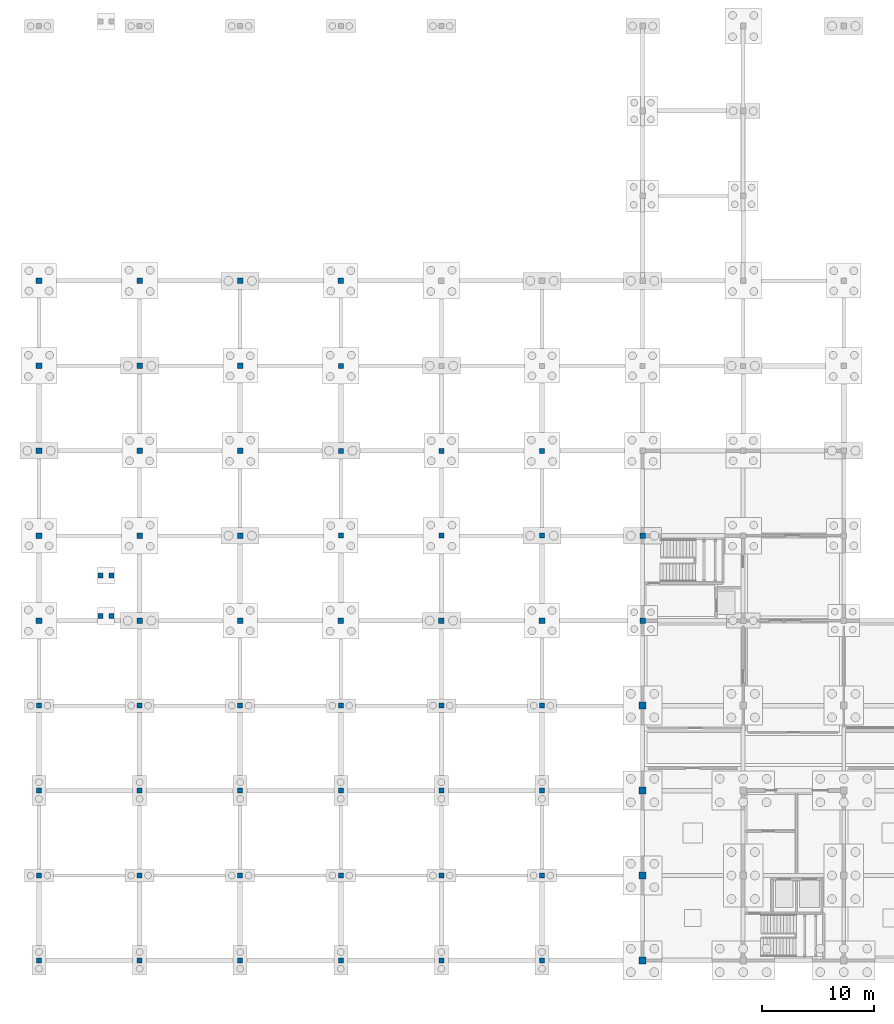
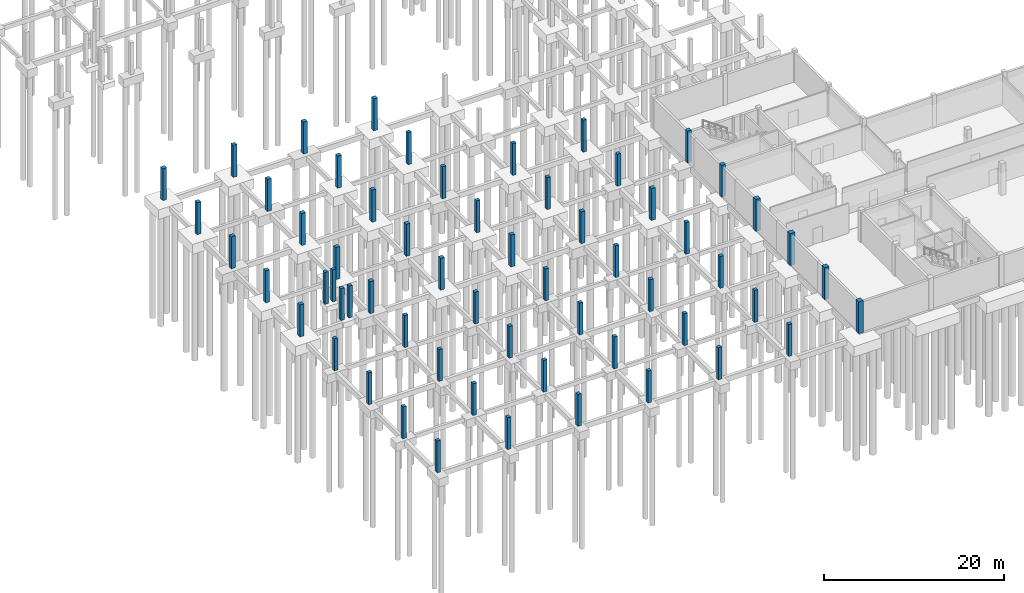
# One storey, part 13 of 28: 60 columns.
"""IFC4 building model written with IfcOpenShell, lengths in metres."""

from ifc_helpers import new_model, si_unit, direction, frame, origin, origin_2d, place, context, subcontext, project, spatial, rectangle, extrude, material, material_profile, profile_set, type_object, element, save


model = new_model("IFC4")

# Units and contexts
model_context = context("Model", 3, precision=1e-05, world=origin(), true_north=direction((0.0, 1.0)))
body_context = subcontext(model_context, "Body", "Model", "MODEL_VIEW")
ifc_project = project(units=[si_unit("LENGTHUNIT", "METRE"), si_unit("AREAUNIT", "SQUARE_METRE"), si_unit("VOLUMEUNIT", "CUBIC_METRE"), si_unit("PLANEANGLEUNIT", "RADIAN"), si_unit("MASSUNIT", "GRAM", prefix="KILO")], contexts=[model_context])

# Site, building, storey
site_placement = place(None, origin())
site = spatial("IfcSite", under=ifc_project, at=site_placement, CompositionType="ELEMENT")
building_placement = place(site_placement, origin())
building = spatial("IfcBuilding", under=site, at=building_placement, Name="Caisbarro Railhouse Central Library", CompositionType="ELEMENT")
storey_placement = place(building_placement, frame((0.0, 0.0, -4.320068359375)))
storey = spatial("IfcBuildingStorey", under=building, at=storey_placement, Name="B01", CompositionType="ELEMENT", Elevation=-4.320068359375)

# Columns
ifc_material = material(Name="Concrete C40", Category="concrete")
ifc_material_profile_1 = material_profile(ifc_material, rectangle(XDim=0.449951171875, YDim=0.449951171875, at=origin_2d()), Name="RC-COL-450X450")
ifc_profile_set_1 = profile_set([ifc_material_profile_1], Name="Concrete C40")
column_type_1 = type_object("IfcColumnType", Name="COL-RC45", PredefinedType="COLUMN", material=ifc_profile_set_1)
for number, where, z_axis, x_axis, name in (
    (1, (0.0, 0.0, 0.0), (0.0, 0.0, 1.0), (1.0, 0.0, 0.0), "RC45 column B01 (0.0,0.0)"),
    (2, (0.0, 7.60009765625, 0.0), (0.0, 0.0, 1.0), (1.0, 0.0, 0.0), "RC45 column B01 (0.0,7.6)"),
    (3, (0.0, 15.199951171875, 0.0), (0.0, 0.0, 1.0), (1.0, 0.0, 0.0), "RC45 column B01 (0.0,15.2)"),
    (4, (0.0, 22.800048828125, 0.0), (0.0, 0.0, 1.0), (1.0, 0.0, 0.0), "RC45 column B01 (0.0,22.8)"),
    (5, (9.0, 0.0, 0.0), (0.0, 0.0, 1.0), (1.0, 0.0, 0.0), "RC45 column B01 (9.0,0.0)"),
    (6, (9.0, 7.60009765625, 0.0), (0.0, 0.0, 1.0), (1.0, 0.0, 0.0), "RC45 column B01 (9.0,7.6)"),
    (7, (9.0, 15.199951171875, 0.0), (0.0, 0.0, 1.0), (1.0, 0.0, 0.0), "RC45 column B01 (9.0,15.2)"),
    (8, (9.0, 22.800048828125, 0.0), (0.0, 0.0, 1.0), (1.0, 0.0, 0.0), "RC45 column B01 (9.0,22.8)"),
    (9, (18.0, 0.0, 0.0), (0.0, 0.0, 1.0), (1.0, 0.0, 0.0), "RC45 column B01 (18.0,0.0)"),
    (10, (18.0, 7.60009765625, 0.0), (0.0, 0.0, 1.0), (1.0, 0.0, 0.0), "RC45 column B01 (18.0,7.6)"),
    (11, (18.0, 15.199951171875, 0.0), (0.0, 0.0, 1.0), (1.0, 0.0, 0.0), "RC45 column B01 (18.0,15.2)"),
    (12, (18.0, 22.800048828125, 0.0), (0.0, 0.0, 1.0), (1.0, 0.0, 0.0), "RC45 column B01 (18.0,22.8)"),
    (13, (27.0, 0.0, 0.0), (0.0, 0.0, 1.0), (1.0, 0.0, 0.0), "RC45 column B01 (27.0,0.0)"),
    (14, (27.0, 7.60009765625, 0.0), (0.0, 0.0, 1.0), (1.0, 0.0, 0.0), "RC45 column B01 (27.0,7.6)"),
    (15, (27.0, 15.199951171875, 0.0), (0.0, 0.0, 1.0), (1.0, 0.0, 0.0), "RC45 column B01 (27.0,15.2)"),
    (16, (27.0, 22.800048828125, 0.0), (0.0, 0.0, 1.0), (1.0, 0.0, 0.0), "RC45 column B01 (27.0,22.8)"),
    (17, (27.0, 38.0, 0.0), (0.0, 0.0, 1.0), (1.0, 0.0, 0.0), "RC45 column B01 (27.0,38.0)"),
    (18, (27.0, 45.60009765625, 0.0), (0.0, 0.0, 1.0), (1.0, 0.0, 0.0), "RC45 column B01 (27.0,45.6)"),
    (19, (27.0, 53.199951171875, 0.0), (0.0, 0.0, 1.0), (1.0, 0.0, 0.0), "RC45 column B01 (27.0,53.2)"),
    (20, (36.0, 0.0, 0.0), (0.0, 0.0, 1.0), (1.0, 0.0, 0.0), "RC45 column B01 (36.0,0.0)"),
    (21, (36.0, 7.60009765625, 0.0), (0.0, 0.0, 1.0), (1.0, 0.0, 0.0), "RC45 column B01 (36.0,7.6)"),
    (22, (36.0, 15.199951171875, 0.0), (0.0, 0.0, 1.0), (1.0, 0.0, 0.0), "RC45 column B01 (36.0,15.2)"),
    (23, (36.0, 22.800048828125, 0.0), (0.0, 0.0, 1.0), (1.0, 0.0, 0.0), "RC45 column B01 (36.0,22.8)"),
    (24, (36.0, 38.0, 0.0), (0.0, 0.0, 1.0), (1.0, 0.0, 0.0), "RC45 column B01 (36.0,38.0)"),
    (25, (36.0, 45.60009765625, 0.0), (0.0, 0.0, 1.0), (1.0, 0.0, 0.0), "RC45 column B01 (36.0,45.6)"),
    (26, (45.0, 0.0, 0.0), (0.0, 0.0, 1.0), (1.0, 0.0, 0.0), "RC45 column B01 (45.0,0.0)"),
    (27, (45.0, 7.60009765625, 0.0), (0.0, 0.0, 1.0), (1.0, 0.0, 0.0), "RC45 column B01 (45.0,7.6)"),
    (28, (45.0, 15.199951171875, 0.0), (0.0, 0.0, 1.0), (1.0, 0.0, 0.0), "RC45 column B01 (45.0,15.2)"),
    (29, (45.0, 22.800048828125, 0.0), (0.0, 0.0, 1.0), (1.0, 0.0, 0.0), "RC45 column B01 (45.0,22.8)"),
    (30, (45.0, 38.0, 0.0), (0.0, 0.0, 1.0), (1.0, 0.0, 0.0), "RC45 column B01 (45.0,38.0)"),
    (31, (45.0, 45.60009765625, 0.0), (0.0, 0.0, 1.0), (1.0, 0.0, 0.0), "RC45 column B01 (45.0,45.6)"),
    (32, (5.5, 30.820068359375, 0.0), (0.0, 0.0, 1.0), (1.0, 0.0, 0.0), "RC45 Stair Foundation Pier K6.1"),
    (33, (5.5, 34.429931640625, 0.0), (0.0, 0.0, 1.0), (1.0, 0.0, 0.0), "RC45 Stair Foundation Pier K6.2"),
    (34, (6.5, 30.820068359375, 0.0), (0.0, 0.0, 1.0), (1.0, 0.0, 0.0), "RC45 Stair Foundation Pier K6.3"),
    (35, (6.5, 34.429931640625, 0.0), (0.0, 0.0, 1.0), (1.0, 0.0, 0.0), "RC45 Stair Foundation Pier K6.4"),
):
    element("IfcColumn", number, at=place(storey_placement, frame(where, z_axis=z_axis, x_axis=x_axis)), inside=storey, type_object=column_type_1, Name=name, PredefinedType="COLUMN", context=body_context, shape_type="SweptSolid", body=[
        extrude(rectangle(XDim=0.449951171875, YDim=0.449951171875, at=origin_2d()), origin(), (0.0, 0.0, 1.0), 4.320068359375),
    ])
ifc_material_profile_2 = material_profile(ifc_material, rectangle(XDim=0.5, YDim=0.5, at=origin_2d()), Name="RC-COL-500X500")
ifc_profile_set_2 = profile_set([ifc_material_profile_2], Name="Concrete C40")
column_type_2 = type_object("IfcColumnType", Name="COL-RC50", PredefinedType="COLUMN", material=ifc_profile_set_2)
for number, where, z_axis, x_axis, name in (
    (36, (0.0, 30.39990234375, 0.0), (0.0, 0.0, 1.0), (1.0, 0.0, 0.0), "RC50 column B01 (0.0,30.4)"),
    (37, (0.0, 38.0, 0.0), (0.0, 0.0, 1.0), (1.0, 0.0, 0.0), "RC50 column B01 (0.0,38.0)"),
    (38, (0.0, 45.60009765625, 0.0), (0.0, 0.0, 1.0), (1.0, 0.0, 0.0), "RC50 column B01 (0.0,45.6)"),
    (39, (0.0, 53.199951171875, 0.0), (0.0, 0.0, 1.0), (1.0, 0.0, 0.0), "RC50 column B01 (0.0,53.2)"),
    (40, (0.0, 60.800048828125, 0.0), (0.0, 0.0, 1.0), (1.0, 0.0, 0.0), "RC50 column B01 (0.0,60.8)"),
    (41, (9.0, 30.39990234375, 0.0), (0.0, 0.0, 1.0), (1.0, 0.0, 0.0), "RC50 column B01 (9.0,30.4)"),
    (42, (9.0, 38.0, 0.0), (0.0, 0.0, 1.0), (1.0, 0.0, 0.0), "RC50 column B01 (9.0,38.0)"),
    (43, (9.0, 45.60009765625, 0.0), (0.0, 0.0, 1.0), (1.0, 0.0, 0.0), "RC50 column B01 (9.0,45.6)"),
    (44, (9.0, 53.199951171875, 0.0), (0.0, 0.0, 1.0), (1.0, 0.0, 0.0), "RC50 column B01 (9.0,53.2)"),
    (45, (9.0, 60.800048828125, 0.0), (0.0, 0.0, 1.0), (1.0, 0.0, 0.0), "RC50 column B01 (9.0,60.8)"),
    (46, (18.0, 30.39990234375, 0.0), (0.0, 0.0, 1.0), (1.0, 0.0, 0.0), "RC50 column B01 (18.0,30.4)"),
    (47, (18.0, 38.0, 0.0), (0.0, 0.0, 1.0), (1.0, 0.0, 0.0), "RC50 column B01 (18.0,38.0)"),
    (48, (18.0, 45.60009765625, 0.0), (0.0, 0.0, 1.0), (1.0, 0.0, 0.0), "RC50 column B01 (18.0,45.6)"),
    (49, (18.0, 53.199951171875, 0.0), (0.0, 0.0, 1.0), (1.0, 0.0, 0.0), "RC50 column B01 (18.0,53.2)"),
    (50, (18.0, 60.800048828125, 0.0), (0.0, 0.0, 1.0), (1.0, 0.0, 0.0), "RC50 column B01 (18.0,60.8)"),
    (51, (27.0, 30.39990234375, 0.0), (0.0, 0.0, 1.0), (1.0, 0.0, 0.0), "RC50 column B01 (27.0,30.4)"),
    (52, (27.0, 60.800048828125, 0.0), (0.0, 0.0, 1.0), (1.0, 0.0, 0.0), "RC50 column B01 (27.0,60.8)"),
    (53, (36.0, 30.39990234375, 0.0), (0.0, 0.0, 1.0), (1.0, 0.0, 0.0), "RC50 column B01 (36.0,30.4)"),
    (54, (45.0, 30.39990234375, 0.0), (0.0, 0.0, 1.0), (1.0, 0.0, 0.0), "RC50 column B01 (45.0,30.4)"),
    (55, (54.0, 30.39990234375, 0.0), (0.0, 0.0, 1.0), (1.0, 0.0, 0.0), "RC50 column B01 (54.0,30.4)"),
    (56, (54.0, 38.0, 0.0), (0.0, 0.0, 1.0), (1.0, 0.0, 0.0), "RC50 column B01 (54.0,38.0)"),
):
    element("IfcColumn", number, at=place(storey_placement, frame(where, z_axis=z_axis, x_axis=x_axis)), inside=storey, type_object=column_type_2, Name=name, PredefinedType="COLUMN", context=body_context, shape_type="SweptSolid", body=[
        extrude(rectangle(XDim=0.5, YDim=0.5, at=origin_2d()), origin(), (0.0, 0.0, 1.0), 4.320068359375),
    ])
ifc_material_profile_3 = material_profile(ifc_material, rectangle(XDim=0.60009765625, YDim=0.60009765625, at=origin_2d()), Name="RC-COL-600X600")
ifc_profile_set_3 = profile_set([ifc_material_profile_3], Name="Concrete C40")
column_type_3 = type_object("IfcColumnType", Name="COL-RC60", PredefinedType="COLUMN", material=ifc_profile_set_3)
for number, where, z_axis, x_axis, name in (
    (57, (54.0, 0.0, 0.0), (0.0, 0.0, 1.0), (1.0, 0.0, 0.0), "RC60 column B01 (54.0,0.0)"),
    (58, (54.0, 7.60009765625, 0.0), (0.0, 0.0, 1.0), (1.0, 0.0, 0.0), "RC60 column B01 (54.0,7.6)"),
    (59, (54.0, 15.199951171875, 0.0), (0.0, 0.0, 1.0), (1.0, 0.0, 0.0), "RC60 column B01 (54.0,15.2)"),
    (60, (54.0, 22.800048828125, 0.0), (0.0, 0.0, 1.0), (1.0, 0.0, 0.0), "RC60 column B01 (54.0,22.8)"),
):
    element("IfcColumn", number, at=place(storey_placement, frame(where, z_axis=z_axis, x_axis=x_axis)), inside=storey, type_object=column_type_3, Name=name, PredefinedType="COLUMN", context=body_context, shape_type="SweptSolid", body=[
        extrude(rectangle(XDim=0.60009765625, YDim=0.60009765625, at=origin_2d()), origin(), (0.0, 0.0, 1.0), 4.320068359375),
    ])

save(model, "model.ifc")
